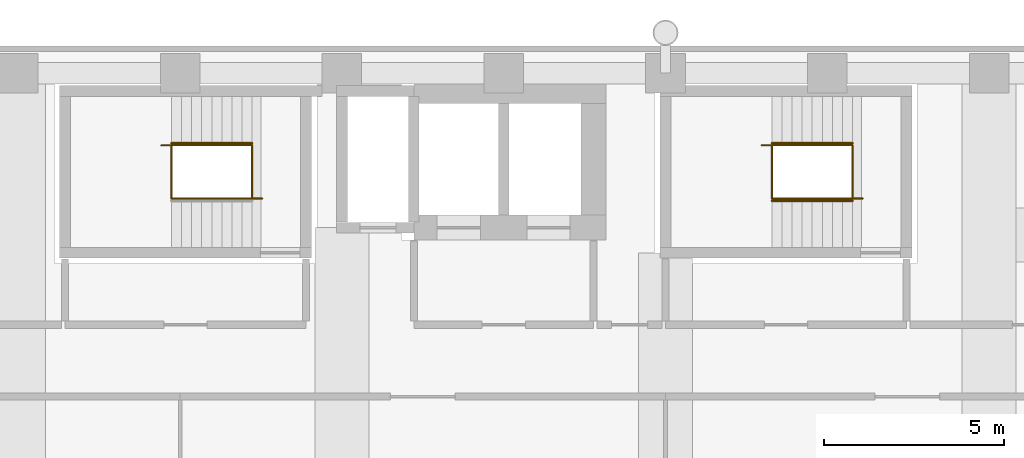
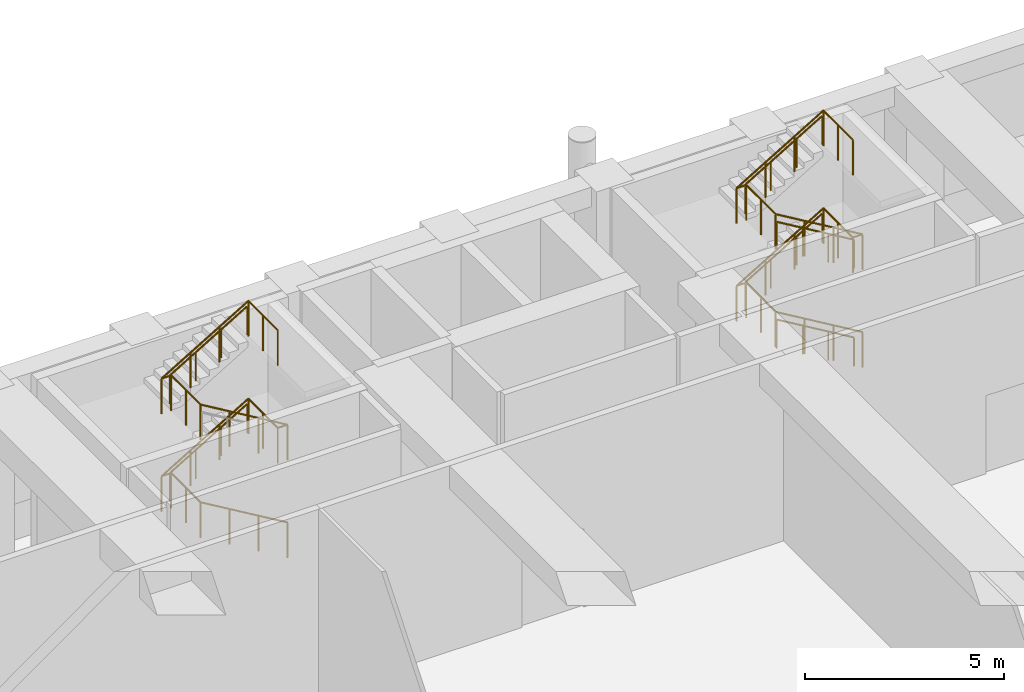
# One storey, part 20 of 22: 8 railings.
"""IFC4 building model written with IfcOpenShell, lengths in metres."""

from ifc_helpers import new_model, si_unit, direction, frame, origin, origin_2d, place, context, subcontext, project, spatial, circle, extrude, material, type_object, element, save


model = new_model("IFC4")

# Units and contexts
model_context = context("Model", 3, precision=1e-05, world=origin(), true_north=direction((0.0, 1.0)))
body_context = subcontext(model_context, "Body", "Model", "MODEL_VIEW")
ifc_project = project(units=[si_unit("LENGTHUNIT", "METRE"), si_unit("AREAUNIT", "SQUARE_METRE"), si_unit("VOLUMEUNIT", "CUBIC_METRE"), si_unit("PLANEANGLEUNIT", "RADIAN"), si_unit("MASSUNIT", "GRAM", prefix="KILO")], contexts=[model_context])

# Site, building, storey
site_placement = place(None, origin())
site = spatial("IfcSite", under=ifc_project, at=site_placement, CompositionType="ELEMENT")
building_placement = place(site_placement, origin())
building = spatial("IfcBuilding", under=site, at=building_placement, Name="Firuza Court", CompositionType="ELEMENT")
storey_placement = place(building_placement, frame((0.0, 0.0, 113.60009765625)))
storey = spatial("IfcBuildingStorey", under=building, at=storey_placement, Name="L28", CompositionType="ELEMENT", Elevation=113.60009765625)

# Railings
ifc_material_1 = material(Name="Steel S355", Category="steel")
railing_type_1 = type_object("IfcRailingType", Name="Handrail 900", PredefinedType="HANDRAIL", material=ifc_material_1)
for number, where, name in (
    (1, (40.260009765625, 56.550048828125, 1.66650390625), "Handrail S1 flight 2"),
    (2, (40.260009765625, 56.550048828125, 4.66650390625), "Handrail S1 flight 4"),
):
    element("IfcRailing", number, at=place(storey_placement, frame(where)), inside=storey, type_object=railing_type_1, Name=name, PredefinedType="HANDRAIL", context=body_context, shape_type="SweptSolid", body=[
        extrude(circle(Radius=0.02490234375, at=origin_2d()), frame((0.0, 0.0, 0.875), z_axis=(0.859264461869, 0.0, 0.511531606619), x_axis=(0.0, 1.0, 0.0)), (0.0, 0.0, 1.0), 2.60693359375),
        extrude(circle(Radius=0.02001953125, at=origin_2d()), origin(), (0.0, 0.0, 1.0), 0.849853515625),
        extrude(circle(Radius=0.02001953125, at=origin_2d()), frame((0.74658203125, 0.0, 0.444580078125)), (0.0, 0.0, 1.0), 0.849853515625),
        extrude(circle(Radius=0.02001953125, at=origin_2d()), frame((1.493408203125, 0.0, 0.888916015625)), (0.0, 0.0, 1.0), 0.849853515625),
        extrude(circle(Radius=0.02001953125, at=origin_2d()), frame((2.239990234375, 0.0, 1.33349609375)), (0.0, 0.0, 1.0), 0.849853515625),
    ])
railing_1_placement = place(storey_placement, frame((59.199951171875, 54.949951171875, 0.16650390625)))
element("IfcRailing", 3, at=railing_1_placement, inside=storey, type_object=railing_type_1, Name="Handrail S4 flight 1", PredefinedType="HANDRAIL", context=body_context, shape_type="SweptSolid", body=[
    extrude(circle(Radius=0.02490234375, at=origin_2d()), frame((0.0, 0.0, 0.875), z_axis=(-0.859264461869, 0.0, 0.511531606619), x_axis=(0.0, -1.0, 0.0)), (0.0, 0.0, 1.0), 2.60693359375),
    extrude(circle(Radius=0.02001953125, at=origin_2d()), origin(), (0.0, 0.0, 1.0), 0.849853515625),
    extrude(circle(Radius=0.02001953125, at=origin_2d()), frame((-0.74658203125, 0.0, 0.444580078125)), (0.0, 0.0, 1.0), 0.849853515625),
    extrude(circle(Radius=0.02001953125, at=origin_2d()), frame((-1.493408203125, 0.0, 0.888916015625)), (0.0, 0.0, 1.0), 0.849853515625),
    extrude(circle(Radius=0.02001953125, at=origin_2d()), frame((-2.239990234375, 0.0, 1.33349609375)), (0.0, 0.0, 1.0), 0.849853515625),
])
railing_2_placement = place(storey_placement, frame((56.9599609375, 56.550048828125, 1.66650390625)))
element("IfcRailing", 4, at=railing_2_placement, inside=storey, type_object=railing_type_1, Name="Handrail S4 flight 2", PredefinedType="HANDRAIL", context=body_context, shape_type="SweptSolid", body=[
    extrude(circle(Radius=0.02490234375, at=origin_2d()), frame((0.0, 0.0, 0.875), z_axis=(0.859264461869, 0.0, 0.511531606619), x_axis=(0.0, 1.0, 0.0)), (0.0, 0.0, 1.0), 2.60693359375),
    extrude(circle(Radius=0.02001953125, at=origin_2d()), origin(), (0.0, 0.0, 1.0), 0.849853515625),
    extrude(circle(Radius=0.02001953125, at=origin_2d()), frame((0.74658203125, 0.0, 0.444580078125)), (0.0, 0.0, 1.0), 0.849853515625),
    extrude(circle(Radius=0.02001953125, at=origin_2d()), frame((1.493408203125, 0.0, 0.888916015625)), (0.0, 0.0, 1.0), 0.849853515625),
    extrude(circle(Radius=0.02001953125, at=origin_2d()), frame((2.239990234375, 0.0, 1.33349609375)), (0.0, 0.0, 1.0), 0.849853515625),
])
railing_3_placement = place(storey_placement, frame((59.199951171875, 54.949951171875, 3.16650390625)))
element("IfcRailing", 5, at=railing_3_placement, inside=storey, type_object=railing_type_1, Name="Handrail S4 flight 3", PredefinedType="HANDRAIL", context=body_context, shape_type="SweptSolid", body=[
    extrude(circle(Radius=0.02490234375, at=origin_2d()), frame((0.0, 0.0, 0.875), z_axis=(-0.859264461869, 0.0, 0.511531606619), x_axis=(0.0, -1.0, 0.0)), (0.0, 0.0, 1.0), 2.60693359375),
    extrude(circle(Radius=0.02001953125, at=origin_2d()), origin(), (0.0, 0.0, 1.0), 0.849853515625),
    extrude(circle(Radius=0.02001953125, at=origin_2d()), frame((-0.74658203125, 0.0, 0.444580078125)), (0.0, 0.0, 1.0), 0.849853515625),
    extrude(circle(Radius=0.02001953125, at=origin_2d()), frame((-1.493408203125, 0.0, 0.888916015625)), (0.0, 0.0, 1.0), 0.849853515625),
    extrude(circle(Radius=0.02001953125, at=origin_2d()), frame((-2.239990234375, 0.0, 1.33349609375)), (0.0, 0.0, 1.0), 0.849853515625),
])
railing_4_placement = place(storey_placement, frame((56.9599609375, 56.550048828125, 4.66650390625)))
element("IfcRailing", 6, at=railing_4_placement, inside=storey, type_object=railing_type_1, Name="Handrail S4 flight 4", PredefinedType="HANDRAIL", context=body_context, shape_type="SweptSolid", body=[
    extrude(circle(Radius=0.02490234375, at=origin_2d()), frame((0.0, 0.0, 0.875), z_axis=(0.859264461869, 0.0, 0.511531606619), x_axis=(0.0, 1.0, 0.0)), (0.0, 0.0, 1.0), 2.60693359375),
    extrude(circle(Radius=0.02001953125, at=origin_2d()), origin(), (0.0, 0.0, 1.0), 0.849853515625),
    extrude(circle(Radius=0.02001953125, at=origin_2d()), frame((0.74658203125, 0.0, 0.444580078125)), (0.0, 0.0, 1.0), 0.849853515625),
    extrude(circle(Radius=0.02001953125, at=origin_2d()), frame((1.493408203125, 0.0, 0.888916015625)), (0.0, 0.0, 1.0), 0.849853515625),
    extrude(circle(Radius=0.02001953125, at=origin_2d()), frame((2.239990234375, 0.0, 1.33349609375)), (0.0, 0.0, 1.0), 0.849853515625),
])
ifc_material_2 = material(Name="Steel S355", Category="steel")
railing_type_2 = type_object("IfcRailingType", Name="Stair guard 1100", PredefinedType="GUARDRAIL", material=ifc_material_2)
railing_5_placement = place(storey_placement, frame((42.780029296875, 55.010009765625, 0.0)))
element("IfcRailing", 7, at=railing_5_placement, inside=storey, type_object=railing_type_2, Name="Stair well guard S1", PredefinedType="GUARDRAIL", context=body_context, shape_type="SweptSolid", body=[
    extrude(circle(Radius=0.02490234375, at=origin_2d()), frame((0.0, 0.0, 1.0751953125), z_axis=(-0.859294626741, 0.0, 0.511480932639), x_axis=(0.0, -1.0, 0.0)), (0.0, 0.0, 1.0), 2.9326171875),
    extrude(circle(Radius=0.02490234375, at=origin_2d()), frame((-2.52001953125, 0.0, 2.5751953125), z_axis=(0.0, 1.0, 0.0), x_axis=(-1.0, 0.0, 0.0)), (0.0, 0.0, 1.0), 1.47998046875),
    extrude(circle(Radius=0.02490234375, at=origin_2d()), frame((-2.52001953125, 1.47998046875, 2.5751953125), z_axis=(-1.0, 0.0, 0.0), x_axis=(0.0, -1.0, 0.0)), (0.0, 0.0, 1.0), 0.280029296875),
    extrude(circle(Radius=0.02490234375, at=origin_2d()), frame((-2.800048828125, 1.47998046875, 2.5751953125), z_axis=(0.859294626741, 0.0, 0.511480932639), x_axis=(0.0, 1.0, 0.0)), (0.0, 0.0, 1.0), 2.9326171875),
    extrude(circle(Radius=0.02490234375, at=origin_2d()), frame((-0.280029296875, 1.47998046875, 4.0751953125), z_axis=(0.0, -1.0, 0.0), x_axis=(1.0, 0.0, 0.0)), (0.0, 0.0, 1.0), 1.47998046875),
    extrude(circle(Radius=0.02490234375, at=origin_2d()), frame((-0.280029296875, 0.0, 4.0751953125), z_axis=(1.0, 0.0, 0.0), x_axis=(0.0, 1.0, 0.0)), (0.0, 0.0, 1.0), 0.280029296875),
    extrude(circle(Radius=0.02490234375, at=origin_2d()), frame((0.0, 0.0, 4.0751953125), z_axis=(-0.859294626741, 0.0, 0.511480932639), x_axis=(0.0, -1.0, 0.0)), (0.0, 0.0, 1.0), 2.9326171875),
    extrude(circle(Radius=0.02490234375, at=origin_2d()), frame((-2.52001953125, 0.0, 5.5751953125), z_axis=(0.0, 1.0, 0.0), x_axis=(-1.0, 0.0, 0.0)), (0.0, 0.0, 1.0), 1.47998046875),
    extrude(circle(Radius=0.02490234375, at=origin_2d()), frame((-2.52001953125, 1.47998046875, 5.5751953125), z_axis=(-1.0, 0.0, 0.0), x_axis=(0.0, -1.0, 0.0)), (0.0, 0.0, 1.0), 0.280029296875),
    extrude(circle(Radius=0.02490234375, at=origin_2d()), frame((-2.800048828125, 1.47998046875, 5.5751953125), z_axis=(0.859294626741, 0.0, 0.511480932639), x_axis=(0.0, 1.0, 0.0)), (0.0, 0.0, 1.0), 2.9326171875),
    extrude(circle(Radius=0.02490234375, at=origin_2d()), frame((-0.280029296875, 1.47998046875, 7.0751953125), z_axis=(0.0, -1.0, 0.0), x_axis=(1.0, 0.0, 0.0)), (0.0, 0.0, 1.0), 1.47998046875),
    extrude(circle(Radius=0.02490234375, at=origin_2d()), origin(), (0.0, 0.0, 1.0), 1.050048828125),
    extrude(circle(Radius=0.02490234375, at=origin_2d()), frame((-0.840087890625, 0.0, 0.5)), (0.0, 0.0, 1.0), 1.050048828125),
    extrude(circle(Radius=0.02490234375, at=origin_2d()), frame((-1.679931640625, 0.0, 1.0)), (0.0, 0.0, 1.0), 1.050048828125),
    extrude(circle(Radius=0.02490234375, at=origin_2d()), frame((-2.52001953125, 0.0, 1.5)), (0.0, 0.0, 1.0), 1.050048828125),
    extrude(circle(Radius=0.02490234375, at=origin_2d()), frame((-2.52001953125, 0.739990234375, 1.5)), (0.0, 0.0, 1.0), 1.050048828125),
    extrude(circle(Radius=0.02490234375, at=origin_2d()), frame((-2.52001953125, 1.47998046875, 1.5)), (0.0, 0.0, 1.0), 1.050048828125),
    extrude(circle(Radius=0.02490234375, at=origin_2d()), frame((-2.800048828125, 1.47998046875, 1.5)), (0.0, 0.0, 1.0), 1.050048828125),
    extrude(circle(Radius=0.02490234375, at=origin_2d()), frame((-1.9599609375, 1.47998046875, 2.0)), (0.0, 0.0, 1.0), 1.050048828125),
    extrude(circle(Radius=0.02490234375, at=origin_2d()), frame((-1.1201171875, 1.47998046875, 2.5)), (0.0, 0.0, 1.0), 1.050048828125),
    extrude(circle(Radius=0.02490234375, at=origin_2d()), frame((-0.280029296875, 1.47998046875, 3.0)), (0.0, 0.0, 1.0), 1.050048828125),
    extrude(circle(Radius=0.02490234375, at=origin_2d()), frame((-0.280029296875, 0.739990234375, 3.0)), (0.0, 0.0, 1.0), 1.050048828125),
    extrude(circle(Radius=0.02490234375, at=origin_2d()), frame((-0.280029296875, 0.0, 3.0)), (0.0, 0.0, 1.0), 1.050048828125),
    extrude(circle(Radius=0.02490234375, at=origin_2d()), frame((0.0, 0.0, 3.0)), (0.0, 0.0, 1.0), 1.050048828125),
    extrude(circle(Radius=0.02490234375, at=origin_2d()), frame((-0.840087890625, 0.0, 3.5)), (0.0, 0.0, 1.0), 1.050048828125),
    extrude(circle(Radius=0.02490234375, at=origin_2d()), frame((-1.679931640625, 0.0, 4.0)), (0.0, 0.0, 1.0), 1.050048828125),
    extrude(circle(Radius=0.02490234375, at=origin_2d()), frame((-2.52001953125, 0.0, 4.5)), (0.0, 0.0, 1.0), 1.050048828125),
    extrude(circle(Radius=0.02490234375, at=origin_2d()), frame((-2.52001953125, 0.739990234375, 4.5)), (0.0, 0.0, 1.0), 1.050048828125),
    extrude(circle(Radius=0.02490234375, at=origin_2d()), frame((-2.52001953125, 1.47998046875, 4.5)), (0.0, 0.0, 1.0), 1.050048828125),
    extrude(circle(Radius=0.02490234375, at=origin_2d()), frame((-2.800048828125, 1.47998046875, 4.5)), (0.0, 0.0, 1.0), 1.050048828125),
    extrude(circle(Radius=0.02490234375, at=origin_2d()), frame((-1.9599609375, 1.47998046875, 5.0)), (0.0, 0.0, 1.0), 1.050048828125),
    extrude(circle(Radius=0.02490234375, at=origin_2d()), frame((-1.1201171875, 1.47998046875, 5.5)), (0.0, 0.0, 1.0), 1.050048828125),
    extrude(circle(Radius=0.02490234375, at=origin_2d()), frame((-0.280029296875, 1.47998046875, 6.0)), (0.0, 0.0, 1.0), 1.050048828125),
    extrude(circle(Radius=0.02490234375, at=origin_2d()), frame((-0.280029296875, 0.739990234375, 6.0)), (0.0, 0.0, 1.0), 1.050048828125),
    extrude(circle(Radius=0.02490234375, at=origin_2d()), frame((-0.280029296875, 0.0, 6.0)), (0.0, 0.0, 1.0), 1.050048828125),
])
railing_6_placement = place(storey_placement, frame((59.47998046875, 55.010009765625, 0.0)))
element("IfcRailing", 8, at=railing_6_placement, inside=storey, type_object=railing_type_2, Name="Stair well guard S4", PredefinedType="GUARDRAIL", context=body_context, shape_type="SweptSolid", body=[
    extrude(circle(Radius=0.02490234375, at=origin_2d()), frame((0.0, 0.0, 1.0751953125), z_axis=(-0.859294626741, 0.0, 0.511480932639), x_axis=(0.0, -1.0, 0.0)), (0.0, 0.0, 1.0), 2.9326171875),
    extrude(circle(Radius=0.02490234375, at=origin_2d()), frame((-2.52001953125, 0.0, 2.5751953125), z_axis=(0.0, 1.0, 0.0), x_axis=(-1.0, 0.0, 0.0)), (0.0, 0.0, 1.0), 1.47998046875),
    extrude(circle(Radius=0.02490234375, at=origin_2d()), frame((-2.52001953125, 1.47998046875, 2.5751953125), z_axis=(-1.0, 0.0, 0.0), x_axis=(0.0, -1.0, 0.0)), (0.0, 0.0, 1.0), 0.280029296875),
    extrude(circle(Radius=0.02490234375, at=origin_2d()), frame((-2.800048828125, 1.47998046875, 2.5751953125), z_axis=(0.859294626741, 0.0, 0.511480932639), x_axis=(0.0, 1.0, 0.0)), (0.0, 0.0, 1.0), 2.9326171875),
    extrude(circle(Radius=0.02490234375, at=origin_2d()), frame((-0.280029296875, 1.47998046875, 4.0751953125), z_axis=(0.0, -1.0, 0.0), x_axis=(1.0, 0.0, 0.0)), (0.0, 0.0, 1.0), 1.47998046875),
    extrude(circle(Radius=0.02490234375, at=origin_2d()), frame((-0.280029296875, 0.0, 4.0751953125), z_axis=(1.0, 0.0, 0.0), x_axis=(0.0, 1.0, 0.0)), (0.0, 0.0, 1.0), 0.280029296875),
    extrude(circle(Radius=0.02490234375, at=origin_2d()), frame((0.0, 0.0, 4.0751953125), z_axis=(-0.859294626741, 0.0, 0.511480932639), x_axis=(0.0, -1.0, 0.0)), (0.0, 0.0, 1.0), 2.9326171875),
    extrude(circle(Radius=0.02490234375, at=origin_2d()), frame((-2.52001953125, 0.0, 5.5751953125), z_axis=(0.0, 1.0, 0.0), x_axis=(-1.0, 0.0, 0.0)), (0.0, 0.0, 1.0), 1.47998046875),
    extrude(circle(Radius=0.02490234375, at=origin_2d()), frame((-2.52001953125, 1.47998046875, 5.5751953125), z_axis=(-1.0, 0.0, 0.0), x_axis=(0.0, -1.0, 0.0)), (0.0, 0.0, 1.0), 0.280029296875),
    extrude(circle(Radius=0.02490234375, at=origin_2d()), frame((-2.800048828125, 1.47998046875, 5.5751953125), z_axis=(0.859294626741, 0.0, 0.511480932639), x_axis=(0.0, 1.0, 0.0)), (0.0, 0.0, 1.0), 2.9326171875),
    extrude(circle(Radius=0.02490234375, at=origin_2d()), frame((-0.280029296875, 1.47998046875, 7.0751953125), z_axis=(0.0, -1.0, 0.0), x_axis=(1.0, 0.0, 0.0)), (0.0, 0.0, 1.0), 1.47998046875),
    extrude(circle(Radius=0.02490234375, at=origin_2d()), origin(), (0.0, 0.0, 1.0), 1.050048828125),
    extrude(circle(Radius=0.02490234375, at=origin_2d()), frame((-0.840087890625, 0.0, 0.5)), (0.0, 0.0, 1.0), 1.050048828125),
    extrude(circle(Radius=0.02490234375, at=origin_2d()), frame((-1.679931640625, 0.0, 1.0)), (0.0, 0.0, 1.0), 1.050048828125),
    extrude(circle(Radius=0.02490234375, at=origin_2d()), frame((-2.52001953125, 0.0, 1.5)), (0.0, 0.0, 1.0), 1.050048828125),
    extrude(circle(Radius=0.02490234375, at=origin_2d()), frame((-2.52001953125, 0.739990234375, 1.5)), (0.0, 0.0, 1.0), 1.050048828125),
    extrude(circle(Radius=0.02490234375, at=origin_2d()), frame((-2.52001953125, 1.47998046875, 1.5)), (0.0, 0.0, 1.0), 1.050048828125),
    extrude(circle(Radius=0.02490234375, at=origin_2d()), frame((-2.800048828125, 1.47998046875, 1.5)), (0.0, 0.0, 1.0), 1.050048828125),
    extrude(circle(Radius=0.02490234375, at=origin_2d()), frame((-1.9599609375, 1.47998046875, 2.0)), (0.0, 0.0, 1.0), 1.050048828125),
    extrude(circle(Radius=0.02490234375, at=origin_2d()), frame((-1.1201171875, 1.47998046875, 2.5)), (0.0, 0.0, 1.0), 1.050048828125),
    extrude(circle(Radius=0.02490234375, at=origin_2d()), frame((-0.280029296875, 1.47998046875, 3.0)), (0.0, 0.0, 1.0), 1.050048828125),
    extrude(circle(Radius=0.02490234375, at=origin_2d()), frame((-0.280029296875, 0.739990234375, 3.0)), (0.0, 0.0, 1.0), 1.050048828125),
    extrude(circle(Radius=0.02490234375, at=origin_2d()), frame((-0.280029296875, 0.0, 3.0)), (0.0, 0.0, 1.0), 1.050048828125),
    extrude(circle(Radius=0.02490234375, at=origin_2d()), frame((0.0, 0.0, 3.0)), (0.0, 0.0, 1.0), 1.050048828125),
    extrude(circle(Radius=0.02490234375, at=origin_2d()), frame((-0.840087890625, 0.0, 3.5)), (0.0, 0.0, 1.0), 1.050048828125),
    extrude(circle(Radius=0.02490234375, at=origin_2d()), frame((-1.679931640625, 0.0, 4.0)), (0.0, 0.0, 1.0), 1.050048828125),
    extrude(circle(Radius=0.02490234375, at=origin_2d()), frame((-2.52001953125, 0.0, 4.5)), (0.0, 0.0, 1.0), 1.050048828125),
    extrude(circle(Radius=0.02490234375, at=origin_2d()), frame((-2.52001953125, 0.739990234375, 4.5)), (0.0, 0.0, 1.0), 1.050048828125),
    extrude(circle(Radius=0.02490234375, at=origin_2d()), frame((-2.52001953125, 1.47998046875, 4.5)), (0.0, 0.0, 1.0), 1.050048828125),
    extrude(circle(Radius=0.02490234375, at=origin_2d()), frame((-2.800048828125, 1.47998046875, 4.5)), (0.0, 0.0, 1.0), 1.050048828125),
    extrude(circle(Radius=0.02490234375, at=origin_2d()), frame((-1.9599609375, 1.47998046875, 5.0)), (0.0, 0.0, 1.0), 1.050048828125),
    extrude(circle(Radius=0.02490234375, at=origin_2d()), frame((-1.1201171875, 1.47998046875, 5.5)), (0.0, 0.0, 1.0), 1.050048828125),
    extrude(circle(Radius=0.02490234375, at=origin_2d()), frame((-0.280029296875, 1.47998046875, 6.0)), (0.0, 0.0, 1.0), 1.050048828125),
    extrude(circle(Radius=0.02490234375, at=origin_2d()), frame((-0.280029296875, 0.739990234375, 6.0)), (0.0, 0.0, 1.0), 1.050048828125),
    extrude(circle(Radius=0.02490234375, at=origin_2d()), frame((-0.280029296875, 0.0, 6.0)), (0.0, 0.0, 1.0), 1.050048828125),
])

save(model, "model.ifc")
